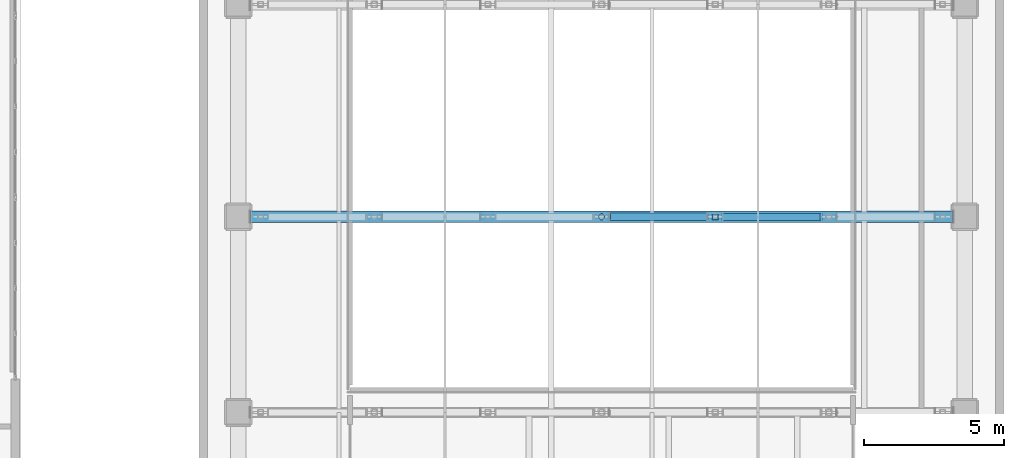
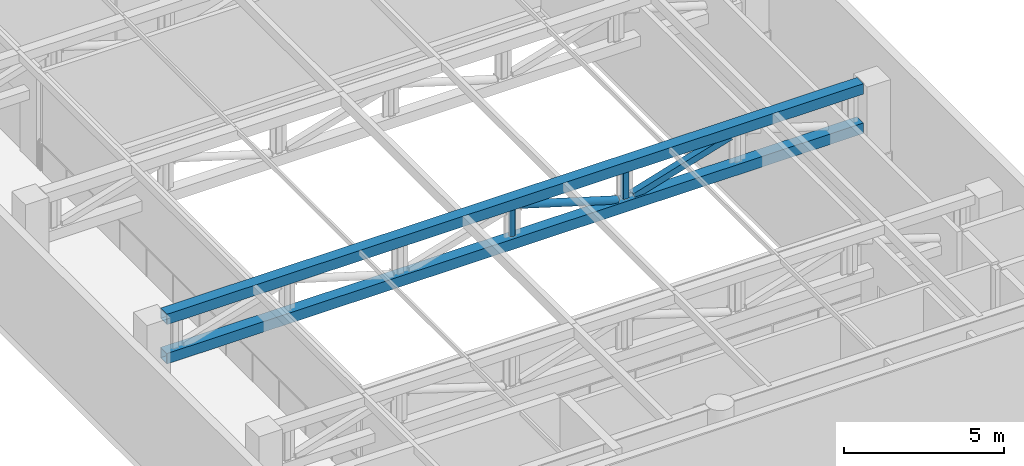
# One storey, part 10 of 25: 6 members.
"""IFC4 building model written with IfcOpenShell, lengths in metres."""

from ifc_helpers import new_model, si_unit, direction, frame, origin, origin_2d, place, context, subcontext, project, spatial, hollow_rectangle, hollow_circle, extrude, material, material_profile, profile_set, type_object, element, save


model = new_model("IFC4")

# Units and contexts
model_context = context("Model", 3, precision=1e-05, world=origin(), true_north=direction((0.0, 1.0)))
body_context = subcontext(model_context, "Body", "Model", "MODEL_VIEW")
ifc_project = project(units=[si_unit("LENGTHUNIT", "METRE"), si_unit("AREAUNIT", "SQUARE_METRE"), si_unit("VOLUMEUNIT", "CUBIC_METRE"), si_unit("PLANEANGLEUNIT", "RADIAN"), si_unit("MASSUNIT", "GRAM", prefix="KILO")], contexts=[model_context])

# Site, building, storey
site_placement = place(None, origin())
site = spatial("IfcSite", under=ifc_project, at=site_placement, CompositionType="ELEMENT")
building_placement = place(site_placement, origin())
building = spatial("IfcBuilding", under=site, at=building_placement, Name="Solanera Arch Residences", CompositionType="ELEMENT")
storey_placement = place(building_placement, frame((0.0, 0.0, 17.800048828125)))
storey = spatial("IfcBuildingStorey", under=building, at=storey_placement, Name="L04", CompositionType="ELEMENT", Elevation=17.800048828125)

# Members
ifc_material_1 = material(Name="Steel S355 (ASTM A992 / A572 Grade 50)", Category="steel")
ifc_material_profile_1 = material_profile(ifc_material_1, hollow_circle(Radius=0.109619140625, WallThickness=0.008056640625, at=origin_2d()))
ifc_profile_set_1 = profile_set([ifc_material_profile_1], Name="Steel S355 (ASTM A992 / A572 Grade 50)")
member_type_1 = type_object("IfcMemberType", Name="Strut CHS219.1X8", PredefinedType="STRUT", material=ifc_profile_set_1)
member_1_placement = place(storey_placement, frame((68.800048828125, 26.800048828125, 2.719970703125), z_axis=(0.0, 0.0, 1.0), x_axis=(1.0, 0.0, 0.0)))
element("IfcMember", 1, at=member_1_placement, inside=storey, type_object=member_type_1, Name="Sports Hall Roof Truss 2 Vertical Post 3", PredefinedType="STRUT", context=body_context, shape_type="SweptSolid", body=[
    extrude(hollow_circle(Radius=0.109619140625, WallThickness=0.008056640625, at=origin_2d()), origin(), (0.0, 0.0, 1.0), 1.06005859375),
])
ifc_material_2 = material(Name="Steel S355 (ASTM A992 / A572 Grade 50)", Category="steel")
ifc_material_profile_2 = material_profile(ifc_material_2, hollow_rectangle(XDim=0.39990234375, YDim=0.39990234375, WallThickness=0.01611328125, at=origin_2d()))
ifc_profile_set_2 = profile_set([ifc_material_profile_2], Name="Steel S355 (ASTM A992 / A572 Grade 50)")
member_type_2 = type_object("IfcMemberType", Name="Truss Chord HSS400X400X16", PredefinedType="CHORD", material=ifc_profile_set_2)
for number, where, z_axis, x_axis, name in (
    (2, (56.22509765625, 26.800048828125, 4.0), (1.0, 0.0, 0.0), (0.0, 1.0, 0.0), "Sports Hall Roof Truss 2 Top Chord"),
    (3, (56.22509765625, 26.800048828125, 2.5), (1.0, 0.0, 0.0), (0.0, 1.0, 0.0), "Sports Hall Roof Truss 2 Bottom Chord"),
):
    element("IfcMember", number, at=place(storey_placement, frame(where, z_axis=z_axis, x_axis=x_axis)), inside=storey, type_object=member_type_2, Name=name, PredefinedType="CHORD", context=body_context, shape_type="SweptSolid", body=[
        extrude(hollow_rectangle(XDim=0.39990234375, YDim=0.39990234375, WallThickness=0.01611328125, at=origin_2d()), origin(), (0.0, 0.0, 1.0), 25.14990234375),
    ])
ifc_material_3 = material(Name="Steel S355 (ASTM A992 / A572 Grade 50)", Category="steel")
ifc_material_profile_3 = material_profile(ifc_material_3, hollow_circle(Radius=0.136474609375, WallThickness=0.010009765625, at=origin_2d()))
ifc_profile_set_3 = profile_set([ifc_material_profile_3], Name="Steel S355 (ASTM A992 / A572 Grade 50)")
member_type_3 = type_object("IfcMemberType", Name="Truss Diagonal CHS273X10", PredefinedType="BRACE", material=ifc_profile_set_3)
member_2_placement = place(storey_placement, frame((69.080078125, 26.800048828125, 3.780029296875), z_axis=(0.957222588357, 0.0, -0.289352581359), x_axis=(0.0, 1.0, 0.0)))
element("IfcMember", 4, at=member_2_placement, inside=storey, type_object=member_type_3, Name="Sports Hall Roof Truss 2 Web Diagonal 4", PredefinedType="BRACE", context=body_context, shape_type="SweptSolid", body=[
    extrude(hollow_circle(Radius=0.136474609375, WallThickness=0.010009765625, at=origin_2d()), origin(), (0.0, 0.0, 1.0), 3.66357421875),
])
ifc_material_4 = material(Name="Steel S355 (ASTM A992 / A572 Grade 50)", Category="steel")
ifc_material_profile_4 = material_profile(ifc_material_4, hollow_rectangle(XDim=0.25, YDim=0.25, WallThickness=0.010009765625, at=origin_2d()))
ifc_profile_set_4 = profile_set([ifc_material_profile_4], Name="Steel S355 (ASTM A992 / A572 Grade 50)")
member_type_4 = type_object("IfcMemberType", Name="Truss Diagonal HSS250X250X10", PredefinedType="BRACE", material=ifc_profile_set_4)
member_3_placement = place(storey_placement, frame((73.14697265625, 26.800048828125, 2.719970703125), z_axis=(0.957205845167, 0.0, 0.289407964607), x_axis=(0.0, 1.0, 0.0)))
element("IfcMember", 5, at=member_3_placement, inside=storey, type_object=member_type_4, Name="Sports Hall Roof Truss 2 Web Diagonal 5", PredefinedType="BRACE", context=body_context, shape_type="SweptSolid", body=[
    extrude(hollow_rectangle(XDim=0.25, YDim=0.25, WallThickness=0.010009765625, at=origin_2d()), origin(), (0.0, 0.0, 1.0), 3.662841796875),
])
ifc_material_5 = material(Name="Steel S355 (ASTM A992 / A572 Grade 50)", Category="steel")
ifc_material_profile_5 = material_profile(ifc_material_5, hollow_rectangle(XDim=0.199951171875, YDim=0.199951171875, WallThickness=0.010009765625, at=origin_2d()))
ifc_profile_set_5 = profile_set([ifc_material_profile_5], Name="Steel S355 (ASTM A992 / A572 Grade 50)")
member_type_5 = type_object("IfcMemberType", Name="Truss Post HSS200X200X10", PredefinedType="STRUT", material=ifc_profile_set_5)
member_4_placement = place(storey_placement, frame((72.866943359375, 26.800048828125, 2.719970703125), z_axis=(0.0, 0.0, 1.0), x_axis=(1.0, 0.0, 0.0)))
element("IfcMember", 6, at=member_4_placement, inside=storey, type_object=member_type_5, Name="Sports Hall Roof Truss 2 Vertical Post 4", PredefinedType="STRUT", context=body_context, shape_type="SweptSolid", body=[
    extrude(hollow_rectangle(XDim=0.199951171875, YDim=0.199951171875, WallThickness=0.010009765625, at=origin_2d()), origin(), (0.0, 0.0, 1.0), 1.06005859375),
])

save(model, "model.ifc")
